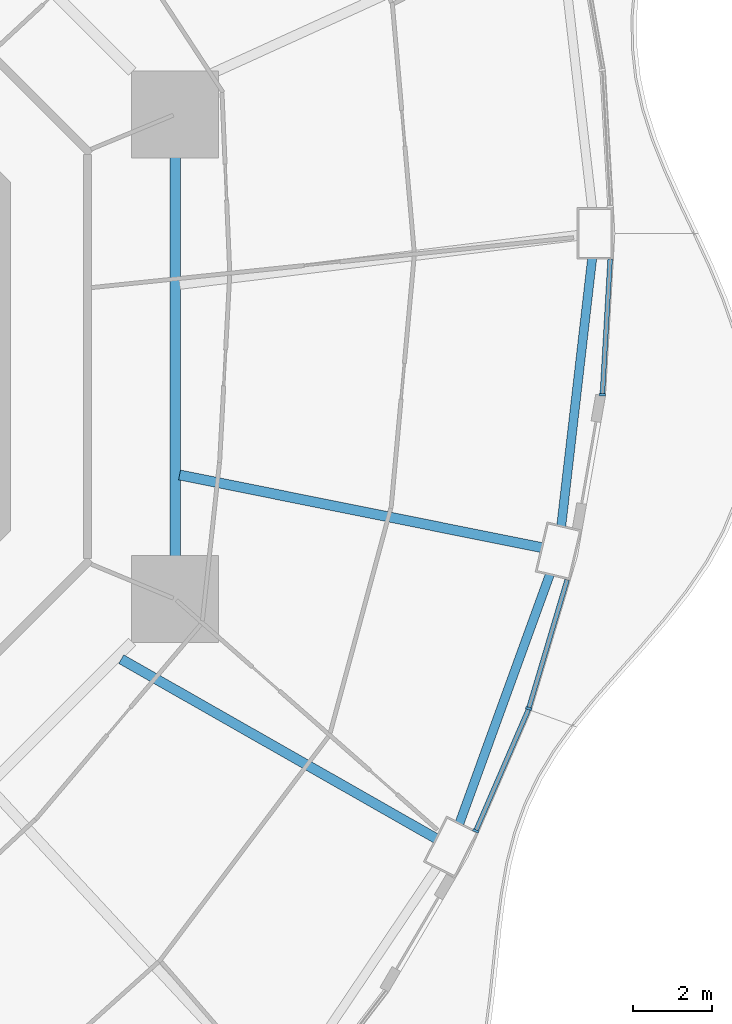
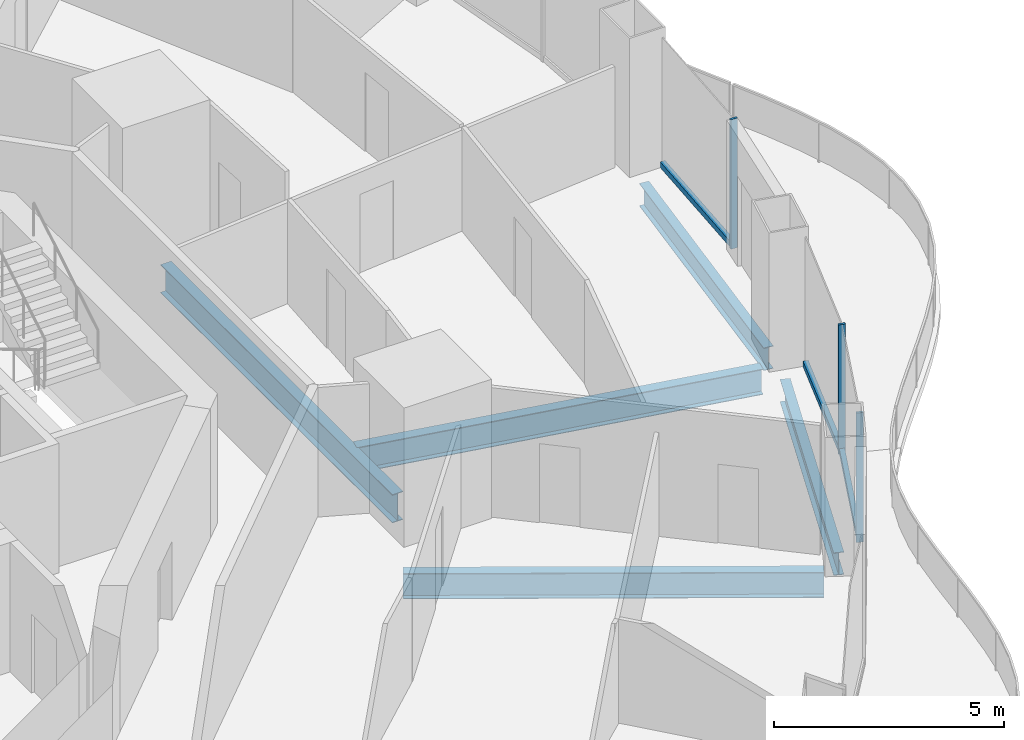
# One storey, part 6 of 22: 6 members, 5 beams, 3 elements without a shape of their own.
"""IFC4 building model written with IfcOpenShell, lengths in metres."""

import ifcopenshell
import ifcopenshell.guid

model = None  # the IFC model being written
_history = None  # IfcOwnerHistory: only IFC2X3 demands one
_inside = {}  # id of a spatial element -> (the spatial element, [elements in it])
_under = {}  # id of a project, library or spatial element -> (it, [spatial elements below it])
_declared = {}  # id of a project -> (the project, [libraries it declares])
_typed = {}  # id of a type object -> (the type object, [elements of that type])
_made_of = {}  # id of a material, layer set ... -> (it, [elements and type objects made of it])


def new_model(schema):
    """Start an empty IFC model of exactly this schema.

    Asked for "IFC4X3", IfcOpenShell would pick the latest addendum, in which some entities
    have other attributes; the version numbers below select the first issue.
    IFC2X3 requires an IfcOwnerHistory on every rooted entity: one is made here for all.
    """
    global model, _history
    if schema == "IFC4X3":
        model = ifcopenshell.file(schema_version=(4, 3, 0, 0))
    else:
        model = ifcopenshell.file(schema=schema)
    _inside.clear()
    _under.clear()
    _declared.clear()
    _typed.clear()
    _made_of.clear()
    _history = None
    if model.schema == "IFC2X3":
        org = make("IfcOrganization", Name="unknown")
        user = make(
            "IfcPersonAndOrganization",
            ThePerson=make("IfcPerson", FamilyName="unknown"),
            TheOrganization=org,
        )
        app = make(
            "IfcApplication",
            ApplicationDeveloper=org,
            Version="unknown",
            ApplicationFullName="unknown",
            ApplicationIdentifier="unknown",
        )
        _history = make(
            "IfcOwnerHistory",
            OwningUser=user,
            OwningApplication=app,
            ChangeAction="ADDED",
            CreationDate=0,
        )
    return model


def make(cls, **values):
    """One entity of the class cls with the attributes given. An attribute that is None is left unset."""
    return model.create_entity(
        cls, **{name: value for name, value in values.items() if value is not None}
    )


def rooted(cls, **values):
    """An entity with a GlobalId (a new one), such as an element, a storey or a relation."""
    return make(cls, GlobalId=ifcopenshell.guid.new(), OwnerHistory=_history, **values)


def si_unit(unit_type, name, prefix=None):
    """IfcSIUnit, for example si_unit("LENGTHUNIT", "METRE", prefix="MILLI")."""
    return make("IfcSIUnit", UnitType=unit_type, Prefix=prefix, Name=name)


def assignment(units):
    """IfcUnitAssignment: the units of a project."""
    return None if units is None else make("IfcUnitAssignment", Units=units)


def point(xyz):
    """IfcCartesianPoint."""
    return None if xyz is None else make("IfcCartesianPoint", Coordinates=xyz)


def direction(xyz):
    """IfcDirection."""
    return None if xyz is None else make("IfcDirection", DirectionRatios=xyz)


def frame(location, z_axis=None, x_axis=None):
    """IfcAxis2Placement3D, a coordinate frame: its origin and axes. An axis left out is left unset."""
    return make(
        "IfcAxis2Placement3D",
        Location=point(location),
        Axis=direction(z_axis),
        RefDirection=direction(x_axis),
    )


def frame_2d(location, x_axis=None):
    """IfcAxis2Placement2D, a coordinate frame in the plane: its origin and x axis."""
    return make(
        "IfcAxis2Placement2D", Location=point(location), RefDirection=direction(x_axis)
    )


def origin():
    """The frame at (0, 0, 0) with its axes left unset."""
    return frame((0.0, 0.0, 0.0))


def origin_2d():
    """The frame at (0, 0) in the plane with its x axis left unset."""
    return frame_2d((0.0, 0.0))


def place(relative_to, where):
    """IfcLocalPlacement: puts the frame where relative to a parent placement (None: the world)."""
    return make(
        "IfcLocalPlacement", PlacementRelTo=relative_to, RelativePlacement=where
    )


def context(
    kind, dimensions, precision=None, world=None, true_north=None, identifier=None
):
    """IfcGeometricRepresentationContext, for example the 3D "Model" context."""
    return make(
        "IfcGeometricRepresentationContext",
        ContextIdentifier=identifier,
        ContextType=kind,
        CoordinateSpaceDimension=dimensions,
        Precision=precision,
        WorldCoordinateSystem=world,
        TrueNorth=true_north,
    )


def subcontext(parent, identifier, kind, view, scale=None):
    """IfcGeometricRepresentationSubContext, for example "Body" below "Model"."""
    return make(
        "IfcGeometricRepresentationSubContext",
        ContextIdentifier=identifier,
        ContextType=kind,
        ParentContext=parent,
        TargetScale=scale,
        TargetView=view,
    )


def project(units=None, contexts=None):
    """IfcProject with its units and contexts."""
    return rooted(
        "IfcProject",
        Name="project",
        RepresentationContexts=contexts,
        UnitsInContext=assignment(units),
    )


def spatial(cls, under=None, at=None, **own):
    """A site, building, storey or space (cls), placed at a placement, below another one or the project."""
    s = rooted(cls, ObjectPlacement=at, **own)
    if under is not None:
        _under.setdefault(under.id(), (under, []))[1].append(s)
    return s


def profile(cls, at=None, kind="AREA", **sizes):
    """A parametric profile (cls). Its sizes go by their IFC names, for example OverallWidth=200.0."""
    return make(cls, ProfileType=kind, Position=at, **sizes)


def rectangle(**sizes):
    """IfcRectangleProfileDef."""
    return profile("IfcRectangleProfileDef", **sizes)


def i_section(**sizes):
    """IfcIShapeProfileDef."""
    return profile("IfcIShapeProfileDef", **sizes)


def extrude(swept, where, along, depth):
    """IfcExtrudedAreaSolid: the profile swept, set in the frame where, extruded along a direction by depth."""
    return make(
        "IfcExtrudedAreaSolid",
        SweptArea=swept,
        Position=where,
        ExtrudedDirection=direction(along),
        Depth=depth,
    )


def shape(context_of_items, identifier, shape_type, items):
    """IfcShapeRepresentation: the items that make up one representation, for example the "Body"."""
    return make(
        "IfcShapeRepresentation",
        ContextOfItems=context_of_items,
        RepresentationIdentifier=identifier,
        RepresentationType=shape_type,
        Items=items,
    )


def material(Name=None, Category=None):
    """IfcMaterial."""
    return make("IfcMaterial", Name=Name, Category=Category)


def layer(
    of_material, thickness, ventilated=None, Name=None, Category=None, Priority=None
):
    """IfcMaterialLayer: one layer of a wall or slab, of a material (None: an air gap)."""
    return make(
        "IfcMaterialLayer",
        Material=of_material,
        LayerThickness=thickness,
        IsVentilated=ventilated,
        Name=Name,
        Category=Category,
        Priority=Priority,
    )


def layer_set(layers, Name=None):
    """IfcMaterialLayerSet."""
    return make("IfcMaterialLayerSet", MaterialLayers=layers, LayerSetName=Name)


def material_profile(
    of_material, cross_section, Name=None, Category=None, Priority=None
):
    """IfcMaterialProfile: a cross section and its material."""
    return make(
        "IfcMaterialProfile",
        Name=Name,
        Material=of_material,
        Profile=cross_section,
        Priority=Priority,
        Category=Category,
    )


def profile_set(profiles, Name=None, composite=None):
    """IfcMaterialProfileSet."""
    return make(
        "IfcMaterialProfileSet",
        Name=Name,
        MaterialProfiles=profiles,
        CompositeProfile=composite,
    )


def made_of(thing, what):
    """Note that an element or type object is made of a material, layer set ...; save() writes the relation."""
    if what is not None:
        _made_of.setdefault(what.id(), (what, []))[1].append(thing)
    return thing


def type_object(cls, material=None, **own):
    """A type object (cls), such as IfcWallType, which elements share."""
    return made_of(rooted(cls, **own), material)


def element(
    cls,
    number,
    at=None,
    inside=None,
    cuts=None,
    type_object=None,
    material=None,
    context=None,
    identifier="Body",
    shape_type=None,
    held_by="IfcProductDefinitionShape",
    body=None,
    shapes=None,
    **own,
):
    """One element of the class cls, such as IfcWall. Its Tag is "e" and its number.

    at: its placement. inside: the storey or other place that contains it. cuts: it is an
    opening in that element (IfcRelVoidsElement). A single representation is given by context,
    identifier, shape_type and body (its items); several are given by shapes. held_by: the class
    of the entity that holds the representations. save() writes the other relations.
    """
    e = rooted(cls, Tag="e%d" % number, ObjectPlacement=at, **own)
    if body is not None:
        shapes = [shape(context, identifier, shape_type, body)]
    if shapes is not None:
        e.Representation = make(held_by, Representations=shapes)
    if inside is not None:
        _inside.setdefault(inside.id(), (inside, []))[1].append(e)
    if cuts is not None:
        rooted(
            "IfcRelVoidsElement", RelatingBuildingElement=cuts, RelatedOpeningElement=e
        )
    if type_object is not None:
        _typed.setdefault(type_object.id(), (type_object, []))[1].append(e)
    return made_of(e, material)


def aggregate(whole, parts):
    """IfcRelAggregates: a whole, such as a stair, and the parts it consists of."""
    return rooted("IfcRelAggregates", RelatingObject=whole, RelatedObjects=parts)


def save(model, path):
    """Write the relations noted so far, then the file.

    IfcRelAggregates (storeys below a building ...), IfcRelContainedInSpatialStructure (elements
    in a storey), IfcRelDefinesByType, IfcRelAssociatesMaterial and IfcRelDeclares: one each for
    every whole, place, type object, material and project.
    """
    for whole, parts in _under.values():
        aggregate(whole, parts)
    for where, things in _inside.values():
        rooted(
            "IfcRelContainedInSpatialStructure",
            RelatedElements=things,
            RelatingStructure=where,
        )
    for kind, things in _typed.values():
        rooted("IfcRelDefinesByType", RelatedObjects=things, RelatingType=kind)
    for what, things in _made_of.values():
        rooted("IfcRelAssociatesMaterial", RelatedObjects=things, RelatingMaterial=what)
    for by, libraries in _declared.values():
        rooted("IfcRelDeclares", RelatingContext=by, RelatedDefinitions=libraries)
    model.write(path)


model = new_model("IFC4")

# Units and contexts
model_context = context("Model", 3, precision=1e-05, world=origin(), true_north=direction((0.0, 1.0)))
body_context = subcontext(model_context, "Body", "Model", "MODEL_VIEW")
ifc_project = project(units=[si_unit("LENGTHUNIT", "METRE"), si_unit("AREAUNIT", "SQUARE_METRE"), si_unit("VOLUMEUNIT", "CUBIC_METRE"), si_unit("PLANEANGLEUNIT", "RADIAN"), si_unit("MASSUNIT", "GRAM", prefix="KILO")], contexts=[model_context])

# Site, building, storey
site_placement = place(None, origin())
site = spatial("IfcSite", under=ifc_project, at=site_placement, CompositionType="ELEMENT")
building_placement = place(site_placement, origin())
building = spatial("IfcBuilding", under=site, at=building_placement, Name="Nagisa Residences", CompositionType="ELEMENT")
storey_placement = place(building_placement, frame((0.0, 0.0, 106.60009765625)))
storey = spatial("IfcBuildingStorey", under=building, at=storey_placement, Name="L26", CompositionType="ELEMENT", Elevation=106.60009765625)

# Curtain wall, member
ifc_material_1 = material(Name="Concrete-coloured aluminium curtain wall system", Category="concrete")
ifc_layer = layer(ifc_material_1, 0.159912109375)
ifc_layer_set = layer_set([ifc_layer], Name="CW1 CURTAIN WALL")
curtain_wall_type = type_object("IfcCurtainWallType", Name="CW1 CURTAIN WALL", PredefinedType="NOTDEFINED", material=ifc_layer_set)
curtain_wall_1_placement = place(storey_placement, origin())
curtain_wall_1 = element("IfcCurtainWall", 1, at=curtain_wall_1_placement, inside=storey, type_object=curtain_wall_type, Name="cw:CW1:L26:44", PredefinedType="NOTDEFINED")
ifc_material_2 = material(Name="Concrete-coloured aluminium", Category="concrete")
ifc_material_profile_1 = material_profile(ifc_material_2, rectangle(XDim=0.159912109375, YDim=0.06005859375, at=origin_2d()), Name="CW1 MULLION 160x60")
ifc_profile_set_1 = profile_set([ifc_material_profile_1], Name="Concrete-coloured aluminium")
member_type_1 = type_object("IfcMemberType", Name="CW1 MULLION 160x60", PredefinedType="MULLION", material=ifc_profile_set_1)
member_1_placement = place(storey_placement, frame((22.381591796875, -11.984130859375, 0.0), z_axis=(0.0, 0.0, 1.0), x_axis=(-0.917543276295, 0.397635934147, 0.0)))
member_1 = element("IfcMember", 2, at=member_1_placement, type_object=member_type_1, Name="CW1 mullion", PredefinedType="MULLION", context=body_context, shape_type="SweptSolid", body=[
    extrude(rectangle(XDim=0.159912109375, YDim=0.06005859375, at=origin_2d()), origin(), (0.0, 0.0, 1.0), 3.43994140625),
])

curtain_wall_2_placement = place(storey_placement, origin())
curtain_wall_2 = element("IfcCurtainWall", 3, at=curtain_wall_2_placement, inside=storey, type_object=curtain_wall_type, Name="cw:CW1:L26:45", PredefinedType="NOTDEFINED")
member_2_placement = place(storey_placement, frame((23.71875, -8.890869140625, 0.0), z_axis=(0.0, 0.0, 1.0), x_axis=(-0.958271310082, 0.285860274038, 0.0)))
member_2 = element("IfcMember", 4, at=member_2_placement, type_object=member_type_1, Name="CW1 mullion", PredefinedType="MULLION", context=body_context, shape_type="SweptSolid", body=[
    extrude(rectangle(XDim=0.159912109375, YDim=0.06005859375, at=origin_2d()), origin(), (0.0, 0.0, 1.0), 3.43994140625),
])

curtain_wall_3_placement = place(storey_placement, origin())
curtain_wall_3 = element("IfcCurtainWall", 5, at=curtain_wall_3_placement, inside=storey, type_object=curtain_wall_type, Name="cw:CW1:L26:47", PredefinedType="NOTDEFINED")
member_3_placement = place(storey_placement, frame((25.579833984375, -0.961181640625, 0.0), z_axis=(0.0, 0.0, 1.0), x_axis=(-0.998345305184, 0.057503492216, 0.0)))
member_3 = element("IfcMember", 6, at=member_3_placement, type_object=member_type_1, Name="CW1 mullion", PredefinedType="MULLION", context=body_context, shape_type="SweptSolid", body=[
    extrude(rectangle(XDim=0.159912109375, YDim=0.06005859375, at=origin_2d()), origin(), (0.0, 0.0, 1.0), 3.43994140625),
])

# Member
ifc_material_3 = material(Name="Concrete-coloured aluminium", Category="concrete")
ifc_material_profile_2 = material_profile(ifc_material_3, rectangle(XDim=0.1201171875, YDim=0.14990234375, at=origin_2d()), Name="CW1 TRANSOM 120x150")
ifc_profile_set_2 = profile_set([ifc_material_profile_2], Name="Concrete-coloured aluminium")
member_type_2 = type_object("IfcMemberType", Name="CW1 TRANSOM 120x150", PredefinedType="USERDEFINED", material=ifc_profile_set_2)
member_4_placement = place(storey_placement, frame((22.36962890625, -12.011474609375, 0.074951171875), z_axis=(0.397621629246, 0.917549475481, 0.0), x_axis=(-0.917549475481, 0.397621629246, 0.0)))
member_4 = element("IfcMember", 7, at=member_4_placement, type_object=member_type_2, Name="CW1 transom", ObjectType="TRANSOM", PredefinedType="USERDEFINED", context=body_context, shape_type="SweptSolid", body=[
    extrude(rectangle(XDim=0.1201171875, YDim=0.14990234375, at=origin_2d()), origin(), (0.0, 0.0, 1.0), 3.37939453125),
])

aggregate(curtain_wall_1, [member_1, member_4])

member_5_placement = place(storey_placement, frame((23.710205078125, -8.919677734375, 0.074951171875), z_axis=(0.285882094477, 0.958264800594, 0.0), x_axis=(-0.958264800594, 0.285882094477, 0.0)))
member_5 = element("IfcMember", 8, at=member_5_placement, type_object=member_type_2, Name="CW1 transom", ObjectType="TRANSOM", PredefinedType="USERDEFINED", context=body_context, shape_type="SweptSolid", body=[
    extrude(rectangle(XDim=0.1201171875, YDim=0.14990234375, at=origin_2d()), origin(), (0.0, 0.0, 1.0), 3.423583984375),
])

aggregate(curtain_wall_2, [member_2, member_5])

member_6_placement = place(storey_placement, frame((25.578125, -0.9912109375, 0.074951171875), z_axis=(0.057546644052, 0.998342818754, 0.0), x_axis=(-0.998342818754, 0.057546644052, 0.0)))
member_6 = element("IfcMember", 9, at=member_6_placement, type_object=member_type_2, Name="CW1 transom", ObjectType="TRANSOM", PredefinedType="USERDEFINED", context=body_context, shape_type="SweptSolid", body=[
    extrude(rectangle(XDim=0.1201171875, YDim=0.14990234375, at=origin_2d()), origin(), (0.0, 0.0, 1.0), 3.470458984375),
])

aggregate(curtain_wall_3, [member_3, member_6])

# Beams
ifc_material_4 = material(Name="Steel ASTM A572 Gr 50", Category="steel")
ifc_material_profile_3 = material_profile(ifc_material_4, i_section(OverallWidth=0.264892578125, OverallDepth=0.7529296875, WebThickness=0.01318359375, FlangeThickness=0.01708984375, at=origin_2d()), Name="W760x147")
ifc_profile_set_3 = profile_set([ifc_material_profile_3], Name="Steel ASTM A572 Gr 50")
beam_type_1 = type_object("IfcBeamType", Name="Inner ring beam W760x147", PredefinedType="BEAM", material=ifc_profile_set_3)
beam_1_placement = place(storey_placement, frame((14.781982421875, -5.04296875, -0.63671875), z_axis=(0.0, 1.0, 0.0), x_axis=(-1.0, 0.0, 0.0)))
element("IfcBeam", 10, at=beam_1_placement, inside=storey, type_object=beam_type_1, Name="beam:L26:ib8", PredefinedType="BEAM", context=body_context, shape_type="SweptSolid", body=[
    extrude(i_section(OverallWidth=0.264892578125, OverallDepth=0.7529296875, WebThickness=0.01318359375, FlangeThickness=0.01708984375, at=origin_2d()), origin(), (0.0, 0.0, 1.0), 10.0859375),
])
ifc_material_5 = material(Name="Steel ASTM A572 Gr 50", Category="steel")
ifc_material_profile_4 = material_profile(ifc_material_5, i_section(OverallWidth=0.22802734375, OverallDepth=0.60302734375, WebThickness=0.010498046875, FlangeThickness=0.014892578125, at=origin_2d()), Name="W610x101")
ifc_profile_set_4 = profile_set([ifc_material_profile_4], Name="Steel ASTM A572 Gr 50")
beam_type_2 = type_object("IfcBeamType", Name="Perimeter ring beam W610x101", PredefinedType="BEAM", material=ifc_profile_set_4)
beam_2_placement = place(storey_placement, frame((21.96826171875, -11.793212890625, -0.5615234375), z_axis=(0.341365002286, 0.939930814057, 0.0), x_axis=(-0.939930814057, 0.341365002286, 0.0)))
element("IfcBeam", 11, at=beam_2_placement, inside=storey, type_object=beam_type_2, Name="beam:L26:pb23", PredefinedType="BEAM", context=body_context, shape_type="SweptSolid", body=[
    extrude(i_section(OverallWidth=0.22802734375, OverallDepth=0.60302734375, WebThickness=0.010498046875, FlangeThickness=0.014892578125, at=origin_2d()), origin(), (0.0, 0.0, 1.0), 6.689208984375),
])
beam_3_placement = place(storey_placement, frame((24.541015625, -4.279296875, -0.5615234375), z_axis=(0.114690766503, 0.993401242237, 0.0), x_axis=(-0.993401242237, 0.114690766503, 0.0)))
element("IfcBeam", 12, at=beam_3_placement, inside=storey, type_object=beam_type_2, Name="beam:L26:pb24", PredefinedType="BEAM", context=body_context, shape_type="SweptSolid", body=[
    extrude(i_section(OverallWidth=0.22802734375, OverallDepth=0.60302734375, WebThickness=0.010498046875, FlangeThickness=0.014892578125, at=origin_2d()), origin(), (0.0, 0.0, 1.0), 6.811767578125),
])
ifc_material_6 = material(Name="Steel ASTM A572 Gr 50", Category="steel")
ifc_material_profile_5 = material_profile(ifc_material_6, i_section(OverallWidth=0.2529296875, OverallDepth=0.677978515625, WebThickness=0.01171875, FlangeThickness=0.016357421875, at=origin_2d()), Name="W690x125")
ifc_profile_set_5 = profile_set([ifc_material_profile_5], Name="Steel ASTM A572 Gr 50")
beam_type_3 = type_object("IfcBeamType", Name="Radial beam W690x125", PredefinedType="BEAM", material=ifc_profile_set_5)
beam_4_placement = place(storey_placement, frame((21.37744140625, -12.1767578125, -0.59912109375), z_axis=(-0.868924854865, 0.494944033804, 0.0), x_axis=(-0.494944033804, -0.868924854865, 0.0)))
element("IfcBeam", 13, at=beam_4_placement, inside=storey, type_object=beam_type_3, Name="beam:L26:rb23", PredefinedType="BEAM", context=body_context, shape_type="SweptSolid", body=[
    extrude(i_section(OverallWidth=0.2529296875, OverallDepth=0.677978515625, WebThickness=0.01171875, FlangeThickness=0.016357421875, at=origin_2d()), origin(), (0.0, 0.0, 1.0), 9.156982421875),
])
beam_5_placement = place(storey_placement, frame((24.046630859375, -4.824951171875, -0.59912109375), z_axis=(-0.980459769656, 0.196719699282, 0.0), x_axis=(-0.196719699282, -0.980459769656, 0.0)))
element("IfcBeam", 14, at=beam_5_placement, inside=storey, type_object=beam_type_3, Name="beam:L26:rb24", PredefinedType="BEAM", context=body_context, shape_type="SweptSolid", body=[
    extrude(i_section(OverallWidth=0.2529296875, OverallDepth=0.677978515625, WebThickness=0.01171875, FlangeThickness=0.016357421875, at=origin_2d()), origin(), (0.0, 0.0, 1.0), 9.333984375),
])

save(model, "model.ifc")
